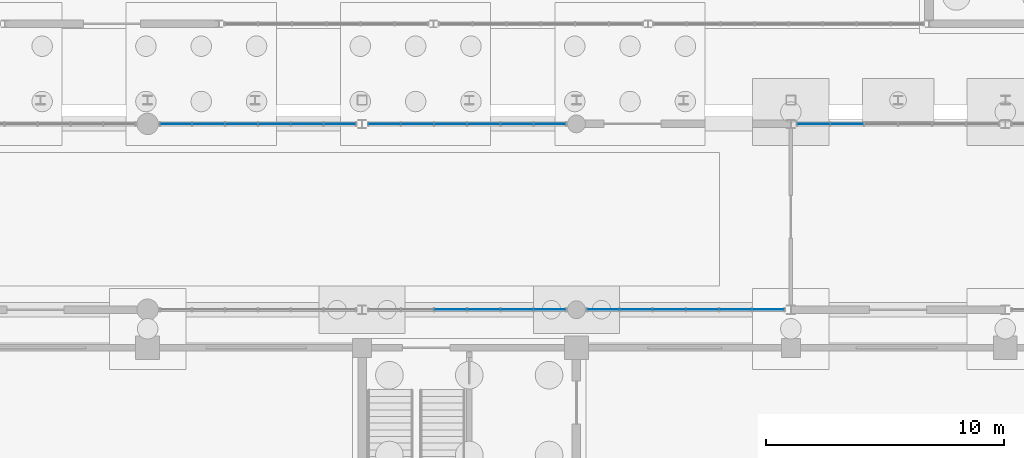
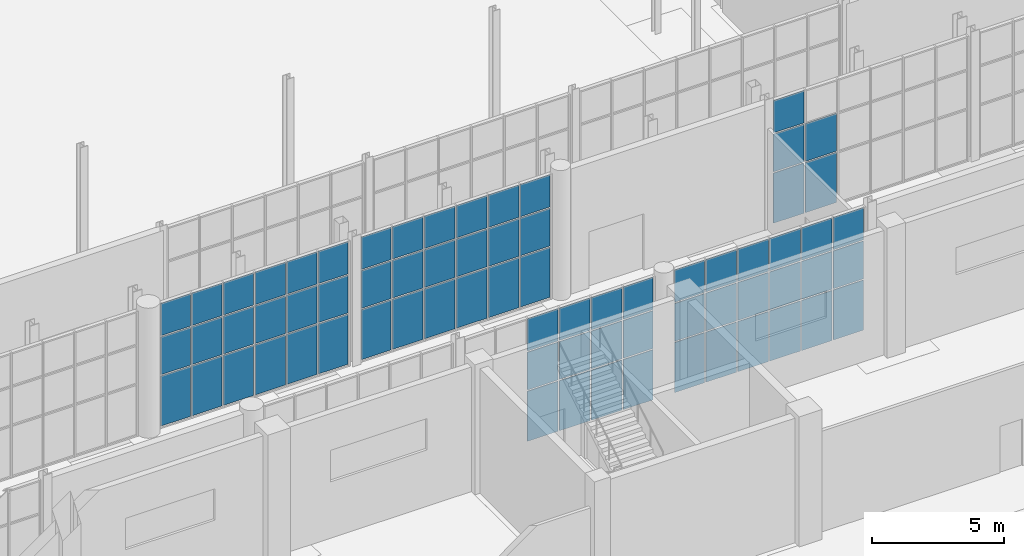
# One storey, part 92 of 131: 71 plates, 5 elements without a shape of their own.
"""IFC4 building model written with IfcOpenShell, lengths in metres."""

from ifc_helpers import new_model, si_unit, direction, frame, origin, origin_2d, place, context, subcontext, project, spatial, rectangle, extrude, material, layer, layer_set, type_object, element, aggregate, save


model = new_model("IFC4")

# Units and contexts
model_context = context("Model", 3, precision=1e-05, world=origin(), true_north=direction((0.0, 1.0)))
body_context = subcontext(model_context, "Body", "Model", "MODEL_VIEW")
ifc_project = project(units=[si_unit("LENGTHUNIT", "METRE"), si_unit("AREAUNIT", "SQUARE_METRE"), si_unit("VOLUMEUNIT", "CUBIC_METRE"), si_unit("PLANEANGLEUNIT", "RADIAN"), si_unit("MASSUNIT", "GRAM", prefix="KILO")], contexts=[model_context])

# Site, building, storey
site_placement = place(None, origin())
site = spatial("IfcSite", under=ifc_project, at=site_placement, CompositionType="ELEMENT")
building_placement = place(site_placement, origin())
building = spatial("IfcBuilding", under=site, at=building_placement, Name="Cazmaro Siding Exhibition Halls", CompositionType="ELEMENT")
storey_placement = place(building_placement, origin())
storey = spatial("IfcBuildingStorey", under=building, at=storey_placement, Name="L00", CompositionType="ELEMENT", Elevation=0.0)

# Curtain wall, plates
ifc_material_1 = material(Name="Anodized Bronze Aluminum and Solar-Control Low-E Glazing", Category="aluminium")
ifc_layer_1 = layer(ifc_material_1, 0.179931640625)
ifc_layer_set_1 = layer_set([ifc_layer_1], Name="Anodized Bronze Aluminum and Solar-Control Low-E Glazing")
curtain_wall_type = type_object("IfcCurtainWallType", Name="CWS-01", PredefinedType="USERDEFINED", material=ifc_layer_set_1)
curtain_wall_1_placement = place(storey_placement, origin())
curtain_wall_1 = element("IfcCurtainWall", 1, at=curtain_wall_1_placement, inside=storey, type_object=curtain_wall_type, Name="Glazed Curtain Wall CWS-01 CW-191", ObjectType="GLAZED CURTAIN WALL", PredefinedType="USERDEFINED")
ifc_material_2 = material(Name="Solar-Control Low-E Double Insulating Glass", Category="glass")
ifc_layer_2 = layer(ifc_material_2, 0.02392578125)
ifc_layer_set_2 = layer_set([ifc_layer_2], Name="Solar-Control Low-E Double Insulating Glass")
plate_type = type_object("IfcPlateType", Name="CWP-01", PredefinedType="CURTAIN_PANEL", material=ifc_layer_set_2)
plate_1_placement = place(storey_placement, frame((134.064453125, 63.0, 0.06005859375), z_axis=(0.0, 0.0, 1.0), x_axis=(-1.0, 0.0, 0.0)))
plate_1 = element("IfcPlate", 2, at=plate_1_placement, type_object=plate_type, Name="CWS-01 panel 1.1", PredefinedType="CURTAIN_PANEL", context=body_context, shape_type="SweptSolid", body=[
    extrude(rectangle(XDim=1.291259765625, YDim=0.02392578125, at=origin_2d()), origin(), (0.0, 0.0, 1.0), 2.31005859375),
])
plate_2_placement = place(storey_placement, frame((134.064453125, 63.0, 2.43017578125), z_axis=(0.0, 0.0, 1.0), x_axis=(-1.0, 0.0, 0.0)))
plate_2 = element("IfcPlate", 3, at=plate_2_placement, type_object=plate_type, Name="CWS-01 panel 1.2", PredefinedType="CURTAIN_PANEL", context=body_context, shape_type="SweptSolid", body=[
    extrude(rectangle(XDim=1.291259765625, YDim=0.02392578125, at=origin_2d()), origin(), (0.0, 0.0, 1.0), 1.739990234375),
])
plate_3_placement = place(storey_placement, frame((134.064453125, 63.0, 4.22998046875), z_axis=(0.0, 0.0, 1.0), x_axis=(-1.0, 0.0, 0.0)))
plate_3 = element("IfcPlate", 4, at=plate_3_placement, type_object=plate_type, Name="CWS-01 panel 1.3", PredefinedType="CURTAIN_PANEL", context=body_context, shape_type="SweptSolid", body=[
    extrude(rectangle(XDim=1.291259765625, YDim=0.02392578125, at=origin_2d()), origin(), (0.0, 0.0, 1.0), 1.489990234375),
])
plate_4_placement = place(storey_placement, frame((132.6982421875, 63.0, 0.06005859375), z_axis=(0.0, 0.0, 1.0), x_axis=(-1.0, 0.0, 0.0)))
plate_4 = element("IfcPlate", 5, at=plate_4_placement, type_object=plate_type, Name="CWS-01 panel 2.1", PredefinedType="CURTAIN_PANEL", context=body_context, shape_type="SweptSolid", body=[
    extrude(rectangle(XDim=1.321044921875, YDim=0.02392578125, at=origin_2d()), origin(), (0.0, 0.0, 1.0), 2.31005859375),
])
plate_5_placement = place(storey_placement, frame((132.6982421875, 63.0, 2.43017578125), z_axis=(0.0, 0.0, 1.0), x_axis=(-1.0, 0.0, 0.0)))
plate_5 = element("IfcPlate", 6, at=plate_5_placement, type_object=plate_type, Name="CWS-01 panel 2.2", PredefinedType="CURTAIN_PANEL", context=body_context, shape_type="SweptSolid", body=[
    extrude(rectangle(XDim=1.321044921875, YDim=0.02392578125, at=origin_2d()), origin(), (0.0, 0.0, 1.0), 1.739990234375),
])
plate_6_placement = place(storey_placement, frame((132.6982421875, 63.0, 4.22998046875), z_axis=(0.0, 0.0, 1.0), x_axis=(-1.0, 0.0, 0.0)))
plate_6 = element("IfcPlate", 7, at=plate_6_placement, type_object=plate_type, Name="CWS-01 panel 2.3", PredefinedType="CURTAIN_PANEL", context=body_context, shape_type="SweptSolid", body=[
    extrude(rectangle(XDim=1.321044921875, YDim=0.02392578125, at=origin_2d()), origin(), (0.0, 0.0, 1.0), 1.489990234375),
])
plate_7_placement = place(storey_placement, frame((131.317138671875, 63.0, 0.06005859375), z_axis=(0.0, 0.0, 1.0), x_axis=(-1.0, 0.0, 0.0)))
plate_7 = element("IfcPlate", 8, at=plate_7_placement, type_object=plate_type, Name="CWS-01 panel 3.1", PredefinedType="CURTAIN_PANEL", context=body_context, shape_type="SweptSolid", body=[
    extrude(rectangle(XDim=1.321044921875, YDim=0.02392578125, at=origin_2d()), origin(), (0.0, 0.0, 1.0), 2.31005859375),
])
plate_8_placement = place(storey_placement, frame((131.317138671875, 63.0, 2.43017578125), z_axis=(0.0, 0.0, 1.0), x_axis=(-1.0, 0.0, 0.0)))
plate_8 = element("IfcPlate", 9, at=plate_8_placement, type_object=plate_type, Name="CWS-01 panel 3.2", PredefinedType="CURTAIN_PANEL", context=body_context, shape_type="SweptSolid", body=[
    extrude(rectangle(XDim=1.321044921875, YDim=0.02392578125, at=origin_2d()), origin(), (0.0, 0.0, 1.0), 1.739990234375),
])
plate_9_placement = place(storey_placement, frame((131.317138671875, 63.0, 4.22998046875), z_axis=(0.0, 0.0, 1.0), x_axis=(-1.0, 0.0, 0.0)))
plate_9 = element("IfcPlate", 10, at=plate_9_placement, type_object=plate_type, Name="CWS-01 panel 3.3", PredefinedType="CURTAIN_PANEL", context=body_context, shape_type="SweptSolid", body=[
    extrude(rectangle(XDim=1.321044921875, YDim=0.02392578125, at=origin_2d()), origin(), (0.0, 0.0, 1.0), 1.489990234375),
])
plate_10_placement = place(storey_placement, frame((129.93603515625, 63.0, 0.06005859375), z_axis=(0.0, 0.0, 1.0), x_axis=(-1.0, 0.0, 0.0)))
plate_10 = element("IfcPlate", 11, at=plate_10_placement, type_object=plate_type, Name="CWS-01 panel 4.1", PredefinedType="CURTAIN_PANEL", context=body_context, shape_type="SweptSolid", body=[
    extrude(rectangle(XDim=1.321044921875, YDim=0.02392578125, at=origin_2d()), origin(), (0.0, 0.0, 1.0), 2.31005859375),
])
plate_11_placement = place(storey_placement, frame((129.93603515625, 63.0, 2.43017578125), z_axis=(0.0, 0.0, 1.0), x_axis=(-1.0, 0.0, 0.0)))
plate_11 = element("IfcPlate", 12, at=plate_11_placement, type_object=plate_type, Name="CWS-01 panel 4.2", PredefinedType="CURTAIN_PANEL", context=body_context, shape_type="SweptSolid", body=[
    extrude(rectangle(XDim=1.321044921875, YDim=0.02392578125, at=origin_2d()), origin(), (0.0, 0.0, 1.0), 1.739990234375),
])
plate_12_placement = place(storey_placement, frame((129.93603515625, 63.0, 4.22998046875), z_axis=(0.0, 0.0, 1.0), x_axis=(-1.0, 0.0, 0.0)))
plate_12 = element("IfcPlate", 13, at=plate_12_placement, type_object=plate_type, Name="CWS-01 panel 4.3", PredefinedType="CURTAIN_PANEL", context=body_context, shape_type="SweptSolid", body=[
    extrude(rectangle(XDim=1.321044921875, YDim=0.02392578125, at=origin_2d()), origin(), (0.0, 0.0, 1.0), 1.489990234375),
])
plate_13_placement = place(storey_placement, frame((128.5546875, 63.0, 0.06005859375), z_axis=(0.0, 0.0, 1.0), x_axis=(-1.0, 0.0, 0.0)))
plate_13 = element("IfcPlate", 14, at=plate_13_placement, type_object=plate_type, Name="CWS-01 panel 5.1", PredefinedType="CURTAIN_PANEL", context=body_context, shape_type="SweptSolid", body=[
    extrude(rectangle(XDim=1.321044921875, YDim=0.02392578125, at=origin_2d()), origin(), (0.0, 0.0, 1.0), 2.31005859375),
])
plate_14_placement = place(storey_placement, frame((128.5546875, 63.0, 2.43017578125), z_axis=(0.0, 0.0, 1.0), x_axis=(-1.0, 0.0, 0.0)))
plate_14 = element("IfcPlate", 15, at=plate_14_placement, type_object=plate_type, Name="CWS-01 panel 5.2", PredefinedType="CURTAIN_PANEL", context=body_context, shape_type="SweptSolid", body=[
    extrude(rectangle(XDim=1.321044921875, YDim=0.02392578125, at=origin_2d()), origin(), (0.0, 0.0, 1.0), 1.739990234375),
])
plate_15_placement = place(storey_placement, frame((128.5546875, 63.0, 4.22998046875), z_axis=(0.0, 0.0, 1.0), x_axis=(-1.0, 0.0, 0.0)))
plate_15 = element("IfcPlate", 16, at=plate_15_placement, type_object=plate_type, Name="CWS-01 panel 5.3", PredefinedType="CURTAIN_PANEL", context=body_context, shape_type="SweptSolid", body=[
    extrude(rectangle(XDim=1.321044921875, YDim=0.02392578125, at=origin_2d()), origin(), (0.0, 0.0, 1.0), 1.489990234375),
])
plate_16_placement = place(storey_placement, frame((127.1884765625, 63.0, 0.06005859375), z_axis=(0.0, 0.0, 1.0), x_axis=(-1.0, 0.0, 0.0)))
plate_16 = element("IfcPlate", 17, at=plate_16_placement, type_object=plate_type, Name="CWS-01 panel 6.1", PredefinedType="CURTAIN_PANEL", context=body_context, shape_type="SweptSolid", body=[
    extrude(rectangle(XDim=1.291259765625, YDim=0.02392578125, at=origin_2d()), origin(), (0.0, 0.0, 1.0), 2.31005859375),
])
plate_17_placement = place(storey_placement, frame((127.1884765625, 63.0, 2.43017578125), z_axis=(0.0, 0.0, 1.0), x_axis=(-1.0, 0.0, 0.0)))
plate_17 = element("IfcPlate", 18, at=plate_17_placement, type_object=plate_type, Name="CWS-01 panel 6.2", PredefinedType="CURTAIN_PANEL", context=body_context, shape_type="SweptSolid", body=[
    extrude(rectangle(XDim=1.291259765625, YDim=0.02392578125, at=origin_2d()), origin(), (0.0, 0.0, 1.0), 1.739990234375),
])
plate_18_placement = place(storey_placement, frame((127.1884765625, 63.0, 4.22998046875), z_axis=(0.0, 0.0, 1.0), x_axis=(-1.0, 0.0, 0.0)))
plate_18 = element("IfcPlate", 19, at=plate_18_placement, type_object=plate_type, Name="CWS-01 panel 6.3", PredefinedType="CURTAIN_PANEL", context=body_context, shape_type="SweptSolid", body=[
    extrude(rectangle(XDim=1.291259765625, YDim=0.02392578125, at=origin_2d()), origin(), (0.0, 0.0, 1.0), 1.489990234375),
])
aggregate(curtain_wall_1, [plate_1, plate_2, plate_3, plate_4, plate_5, plate_6, plate_7, plate_8, plate_9, plate_10, plate_11, plate_12, plate_13, plate_14, plate_15, plate_16, plate_17, plate_18])

curtain_wall_2_placement = place(storey_placement, origin())
curtain_wall_2 = element("IfcCurtainWall", 20, at=curtain_wall_2_placement, inside=storey, type_object=curtain_wall_type, Name="Glazed Curtain Wall CWS-01 CW-196", ObjectType="GLAZED CURTAIN WALL", PredefinedType="USERDEFINED")
plate_19_placement = place(storey_placement, frame((138.714111328125, 55.199951171875, 0.06005859375), z_axis=(0.0, 0.0, 1.0), x_axis=(1.0, 0.0, 0.0)))
plate_19 = element("IfcPlate", 21, at=plate_19_placement, type_object=plate_type, Name="CWS-01 panel 3.1", PredefinedType="CURTAIN_PANEL", context=body_context, shape_type="SweptSolid", body=[
    extrude(rectangle(XDim=1.333740234375, YDim=0.02392578125, at=origin_2d()), origin(), (0.0, 0.0, 1.0), 2.31005859375),
])
plate_20_placement = place(storey_placement, frame((138.714111328125, 55.199951171875, 2.43017578125), z_axis=(0.0, 0.0, 1.0), x_axis=(1.0, 0.0, 0.0)))
plate_20 = element("IfcPlate", 22, at=plate_20_placement, type_object=plate_type, Name="CWS-01 panel 3.2", PredefinedType="CURTAIN_PANEL", context=body_context, shape_type="SweptSolid", body=[
    extrude(rectangle(XDim=1.333740234375, YDim=0.02392578125, at=origin_2d()), origin(), (0.0, 0.0, 1.0), 1.739990234375),
])
plate_21_placement = place(storey_placement, frame((138.714111328125, 55.199951171875, 4.22998046875), z_axis=(0.0, 0.0, 1.0), x_axis=(1.0, 0.0, 0.0)))
plate_21 = element("IfcPlate", 23, at=plate_21_placement, type_object=plate_type, Name="CWS-01 panel 3.3", PredefinedType="CURTAIN_PANEL", context=body_context, shape_type="SweptSolid", body=[
    extrude(rectangle(XDim=1.333740234375, YDim=0.02392578125, at=origin_2d()), origin(), (0.0, 0.0, 1.0), 1.489990234375),
])
plate_22_placement = place(storey_placement, frame((140.10791015625, 55.199951171875, 0.06005859375), z_axis=(0.0, 0.0, 1.0), x_axis=(1.0, 0.0, 0.0)))
plate_22 = element("IfcPlate", 24, at=plate_22_placement, type_object=plate_type, Name="CWS-01 panel 4.1", PredefinedType="CURTAIN_PANEL", context=body_context, shape_type="SweptSolid", body=[
    extrude(rectangle(XDim=1.333740234375, YDim=0.02392578125, at=origin_2d()), origin(), (0.0, 0.0, 1.0), 2.31005859375),
])
plate_23_placement = place(storey_placement, frame((140.10791015625, 55.199951171875, 2.43017578125), z_axis=(0.0, 0.0, 1.0), x_axis=(1.0, 0.0, 0.0)))
plate_23 = element("IfcPlate", 25, at=plate_23_placement, type_object=plate_type, Name="CWS-01 panel 4.2", PredefinedType="CURTAIN_PANEL", context=body_context, shape_type="SweptSolid", body=[
    extrude(rectangle(XDim=1.333740234375, YDim=0.02392578125, at=origin_2d()), origin(), (0.0, 0.0, 1.0), 1.739990234375),
])
plate_24_placement = place(storey_placement, frame((140.10791015625, 55.199951171875, 4.22998046875), z_axis=(0.0, 0.0, 1.0), x_axis=(1.0, 0.0, 0.0)))
plate_24 = element("IfcPlate", 26, at=plate_24_placement, type_object=plate_type, Name="CWS-01 panel 4.3", PredefinedType="CURTAIN_PANEL", context=body_context, shape_type="SweptSolid", body=[
    extrude(rectangle(XDim=1.333740234375, YDim=0.02392578125, at=origin_2d()), origin(), (0.0, 0.0, 1.0), 1.489990234375),
])
plate_25_placement = place(storey_placement, frame((141.50146484375, 55.199951171875, 0.06005859375), z_axis=(0.0, 0.0, 1.0), x_axis=(1.0, 0.0, 0.0)))
plate_25 = element("IfcPlate", 27, at=plate_25_placement, type_object=plate_type, Name="CWS-01 panel 5.1", PredefinedType="CURTAIN_PANEL", context=body_context, shape_type="SweptSolid", body=[
    extrude(rectangle(XDim=1.333740234375, YDim=0.02392578125, at=origin_2d()), origin(), (0.0, 0.0, 1.0), 2.31005859375),
])
plate_26_placement = place(storey_placement, frame((141.50146484375, 55.199951171875, 2.43017578125), z_axis=(0.0, 0.0, 1.0), x_axis=(1.0, 0.0, 0.0)))
plate_26 = element("IfcPlate", 28, at=plate_26_placement, type_object=plate_type, Name="CWS-01 panel 5.2", PredefinedType="CURTAIN_PANEL", context=body_context, shape_type="SweptSolid", body=[
    extrude(rectangle(XDim=1.333740234375, YDim=0.02392578125, at=origin_2d()), origin(), (0.0, 0.0, 1.0), 1.739990234375),
])
plate_27_placement = place(storey_placement, frame((141.50146484375, 55.199951171875, 4.22998046875), z_axis=(0.0, 0.0, 1.0), x_axis=(1.0, 0.0, 0.0)))
plate_27 = element("IfcPlate", 29, at=plate_27_placement, type_object=plate_type, Name="CWS-01 panel 5.3", PredefinedType="CURTAIN_PANEL", context=body_context, shape_type="SweptSolid", body=[
    extrude(rectangle(XDim=1.333740234375, YDim=0.02392578125, at=origin_2d()), origin(), (0.0, 0.0, 1.0), 1.489990234375),
])
plate_28_placement = place(storey_placement, frame((142.880126953125, 55.199951171875, 0.06005859375), z_axis=(0.0, 0.0, 1.0), x_axis=(1.0, 0.0, 0.0)))
plate_28 = element("IfcPlate", 30, at=plate_28_placement, type_object=plate_type, Name="CWS-01 panel 6.1", PredefinedType="CURTAIN_PANEL", context=body_context, shape_type="SweptSolid", body=[
    extrude(rectangle(XDim=1.3037109375, YDim=0.02392578125, at=origin_2d()), origin(), (0.0, 0.0, 1.0), 2.31005859375),
])
plate_29_placement = place(storey_placement, frame((142.880126953125, 55.199951171875, 2.43017578125), z_axis=(0.0, 0.0, 1.0), x_axis=(1.0, 0.0, 0.0)))
plate_29 = element("IfcPlate", 31, at=plate_29_placement, type_object=plate_type, Name="CWS-01 panel 6.2", PredefinedType="CURTAIN_PANEL", context=body_context, shape_type="SweptSolid", body=[
    extrude(rectangle(XDim=1.3037109375, YDim=0.02392578125, at=origin_2d()), origin(), (0.0, 0.0, 1.0), 1.739990234375),
])
plate_30_placement = place(storey_placement, frame((142.880126953125, 55.199951171875, 4.22998046875), z_axis=(0.0, 0.0, 1.0), x_axis=(1.0, 0.0, 0.0)))
plate_30 = element("IfcPlate", 32, at=plate_30_placement, type_object=plate_type, Name="CWS-01 panel 6.3", PredefinedType="CURTAIN_PANEL", context=body_context, shape_type="SweptSolid", body=[
    extrude(rectangle(XDim=1.3037109375, YDim=0.02392578125, at=origin_2d()), origin(), (0.0, 0.0, 1.0), 1.489990234375),
])
aggregate(curtain_wall_2, [plate_19, plate_20, plate_21, plate_22, plate_23, plate_24, plate_25, plate_26, plate_27, plate_28, plate_29, plate_30])

curtain_wall_3_placement = place(storey_placement, origin())
curtain_wall_3 = element("IfcCurtainWall", 33, at=curtain_wall_3_placement, inside=storey, type_object=curtain_wall_type, Name="Glazed Curtain Wall CWS-01 CW-197", ObjectType="GLAZED CURTAIN WALL", PredefinedType="USERDEFINED")
plate_31_placement = place(storey_placement, frame((142.880126953125, 63.0, 0.06005859375), z_axis=(0.0, 0.0, 1.0), x_axis=(-1.0, 0.0, 0.0)))
plate_31 = element("IfcPlate", 34, at=plate_31_placement, type_object=plate_type, Name="CWS-01 panel 1.1", PredefinedType="CURTAIN_PANEL", context=body_context, shape_type="SweptSolid", body=[
    extrude(rectangle(XDim=1.3037109375, YDim=0.02392578125, at=origin_2d()), origin(), (0.0, 0.0, 1.0), 2.31005859375),
])
plate_32_placement = place(storey_placement, frame((142.880126953125, 63.0, 2.43017578125), z_axis=(0.0, 0.0, 1.0), x_axis=(-1.0, 0.0, 0.0)))
plate_32 = element("IfcPlate", 35, at=plate_32_placement, type_object=plate_type, Name="CWS-01 panel 1.2", PredefinedType="CURTAIN_PANEL", context=body_context, shape_type="SweptSolid", body=[
    extrude(rectangle(XDim=1.3037109375, YDim=0.02392578125, at=origin_2d()), origin(), (0.0, 0.0, 1.0), 1.739990234375),
])
plate_33_placement = place(storey_placement, frame((142.880126953125, 63.0, 4.22998046875), z_axis=(0.0, 0.0, 1.0), x_axis=(-1.0, 0.0, 0.0)))
plate_33 = element("IfcPlate", 36, at=plate_33_placement, type_object=plate_type, Name="CWS-01 panel 1.3", PredefinedType="CURTAIN_PANEL", context=body_context, shape_type="SweptSolid", body=[
    extrude(rectangle(XDim=1.3037109375, YDim=0.02392578125, at=origin_2d()), origin(), (0.0, 0.0, 1.0), 1.489990234375),
])
plate_34_placement = place(storey_placement, frame((141.50146484375, 63.0, 0.06005859375), z_axis=(0.0, 0.0, 1.0), x_axis=(-1.0, 0.0, 0.0)))
plate_34 = element("IfcPlate", 37, at=plate_34_placement, type_object=plate_type, Name="CWS-01 panel 2.1", PredefinedType="CURTAIN_PANEL", context=body_context, shape_type="SweptSolid", body=[
    extrude(rectangle(XDim=1.333740234375, YDim=0.02392578125, at=origin_2d()), origin(), (0.0, 0.0, 1.0), 2.31005859375),
])
plate_35_placement = place(storey_placement, frame((141.50146484375, 63.0, 2.43017578125), z_axis=(0.0, 0.0, 1.0), x_axis=(-1.0, 0.0, 0.0)))
plate_35 = element("IfcPlate", 38, at=plate_35_placement, type_object=plate_type, Name="CWS-01 panel 2.2", PredefinedType="CURTAIN_PANEL", context=body_context, shape_type="SweptSolid", body=[
    extrude(rectangle(XDim=1.333740234375, YDim=0.02392578125, at=origin_2d()), origin(), (0.0, 0.0, 1.0), 1.739990234375),
])
plate_36_placement = place(storey_placement, frame((141.50146484375, 63.0, 4.22998046875), z_axis=(0.0, 0.0, 1.0), x_axis=(-1.0, 0.0, 0.0)))
plate_36 = element("IfcPlate", 39, at=plate_36_placement, type_object=plate_type, Name="CWS-01 panel 2.3", PredefinedType="CURTAIN_PANEL", context=body_context, shape_type="SweptSolid", body=[
    extrude(rectangle(XDim=1.333740234375, YDim=0.02392578125, at=origin_2d()), origin(), (0.0, 0.0, 1.0), 1.489990234375),
])
plate_37_placement = place(storey_placement, frame((140.10791015625, 63.0, 0.06005859375), z_axis=(0.0, 0.0, 1.0), x_axis=(-1.0, 0.0, 0.0)))
plate_37 = element("IfcPlate", 40, at=plate_37_placement, type_object=plate_type, Name="CWS-01 panel 3.1", PredefinedType="CURTAIN_PANEL", context=body_context, shape_type="SweptSolid", body=[
    extrude(rectangle(XDim=1.333740234375, YDim=0.02392578125, at=origin_2d()), origin(), (0.0, 0.0, 1.0), 2.31005859375),
])
plate_38_placement = place(storey_placement, frame((140.10791015625, 63.0, 2.43017578125), z_axis=(0.0, 0.0, 1.0), x_axis=(-1.0, 0.0, 0.0)))
plate_38 = element("IfcPlate", 41, at=plate_38_placement, type_object=plate_type, Name="CWS-01 panel 3.2", PredefinedType="CURTAIN_PANEL", context=body_context, shape_type="SweptSolid", body=[
    extrude(rectangle(XDim=1.333740234375, YDim=0.02392578125, at=origin_2d()), origin(), (0.0, 0.0, 1.0), 1.739990234375),
])
plate_39_placement = place(storey_placement, frame((140.10791015625, 63.0, 4.22998046875), z_axis=(0.0, 0.0, 1.0), x_axis=(-1.0, 0.0, 0.0)))
plate_39 = element("IfcPlate", 42, at=plate_39_placement, type_object=plate_type, Name="CWS-01 panel 3.3", PredefinedType="CURTAIN_PANEL", context=body_context, shape_type="SweptSolid", body=[
    extrude(rectangle(XDim=1.333740234375, YDim=0.02392578125, at=origin_2d()), origin(), (0.0, 0.0, 1.0), 1.489990234375),
])
plate_40_placement = place(storey_placement, frame((138.714111328125, 63.0, 0.06005859375), z_axis=(0.0, 0.0, 1.0), x_axis=(-1.0, 0.0, 0.0)))
plate_40 = element("IfcPlate", 43, at=plate_40_placement, type_object=plate_type, Name="CWS-01 panel 4.1", PredefinedType="CURTAIN_PANEL", context=body_context, shape_type="SweptSolid", body=[
    extrude(rectangle(XDim=1.333740234375, YDim=0.02392578125, at=origin_2d()), origin(), (0.0, 0.0, 1.0), 2.31005859375),
])
plate_41_placement = place(storey_placement, frame((138.714111328125, 63.0, 2.43017578125), z_axis=(0.0, 0.0, 1.0), x_axis=(-1.0, 0.0, 0.0)))
plate_41 = element("IfcPlate", 44, at=plate_41_placement, type_object=plate_type, Name="CWS-01 panel 4.2", PredefinedType="CURTAIN_PANEL", context=body_context, shape_type="SweptSolid", body=[
    extrude(rectangle(XDim=1.333740234375, YDim=0.02392578125, at=origin_2d()), origin(), (0.0, 0.0, 1.0), 1.739990234375),
])
plate_42_placement = place(storey_placement, frame((138.714111328125, 63.0, 4.22998046875), z_axis=(0.0, 0.0, 1.0), x_axis=(-1.0, 0.0, 0.0)))
plate_42 = element("IfcPlate", 45, at=plate_42_placement, type_object=plate_type, Name="CWS-01 panel 4.3", PredefinedType="CURTAIN_PANEL", context=body_context, shape_type="SweptSolid", body=[
    extrude(rectangle(XDim=1.333740234375, YDim=0.02392578125, at=origin_2d()), origin(), (0.0, 0.0, 1.0), 1.489990234375),
])
plate_43_placement = place(storey_placement, frame((137.320556640625, 63.0, 0.06005859375), z_axis=(0.0, 0.0, 1.0), x_axis=(-1.0, 0.0, 0.0)))
plate_43 = element("IfcPlate", 46, at=plate_43_placement, type_object=plate_type, Name="CWS-01 panel 5.1", PredefinedType="CURTAIN_PANEL", context=body_context, shape_type="SweptSolid", body=[
    extrude(rectangle(XDim=1.333740234375, YDim=0.02392578125, at=origin_2d()), origin(), (0.0, 0.0, 1.0), 2.31005859375),
])
plate_44_placement = place(storey_placement, frame((137.320556640625, 63.0, 2.43017578125), z_axis=(0.0, 0.0, 1.0), x_axis=(-1.0, 0.0, 0.0)))
plate_44 = element("IfcPlate", 47, at=plate_44_placement, type_object=plate_type, Name="CWS-01 panel 5.2", PredefinedType="CURTAIN_PANEL", context=body_context, shape_type="SweptSolid", body=[
    extrude(rectangle(XDim=1.333740234375, YDim=0.02392578125, at=origin_2d()), origin(), (0.0, 0.0, 1.0), 1.739990234375),
])
plate_45_placement = place(storey_placement, frame((137.320556640625, 63.0, 4.22998046875), z_axis=(0.0, 0.0, 1.0), x_axis=(-1.0, 0.0, 0.0)))
plate_45 = element("IfcPlate", 48, at=plate_45_placement, type_object=plate_type, Name="CWS-01 panel 5.3", PredefinedType="CURTAIN_PANEL", context=body_context, shape_type="SweptSolid", body=[
    extrude(rectangle(XDim=1.333740234375, YDim=0.02392578125, at=origin_2d()), origin(), (0.0, 0.0, 1.0), 1.489990234375),
])
plate_46_placement = place(storey_placement, frame((135.94189453125, 63.0, 0.06005859375), z_axis=(0.0, 0.0, 1.0), x_axis=(-1.0, 0.0, 0.0)))
plate_46 = element("IfcPlate", 49, at=plate_46_placement, type_object=plate_type, Name="CWS-01 panel 6.1", PredefinedType="CURTAIN_PANEL", context=body_context, shape_type="SweptSolid", body=[
    extrude(rectangle(XDim=1.3037109375, YDim=0.02392578125, at=origin_2d()), origin(), (0.0, 0.0, 1.0), 2.31005859375),
])
plate_47_placement = place(storey_placement, frame((135.94189453125, 63.0, 2.43017578125), z_axis=(0.0, 0.0, 1.0), x_axis=(-1.0, 0.0, 0.0)))
plate_47 = element("IfcPlate", 50, at=plate_47_placement, type_object=plate_type, Name="CWS-01 panel 6.2", PredefinedType="CURTAIN_PANEL", context=body_context, shape_type="SweptSolid", body=[
    extrude(rectangle(XDim=1.3037109375, YDim=0.02392578125, at=origin_2d()), origin(), (0.0, 0.0, 1.0), 1.739990234375),
])
plate_48_placement = place(storey_placement, frame((135.94189453125, 63.0, 4.22998046875), z_axis=(0.0, 0.0, 1.0), x_axis=(-1.0, 0.0, 0.0)))
plate_48 = element("IfcPlate", 51, at=plate_48_placement, type_object=plate_type, Name="CWS-01 panel 6.3", PredefinedType="CURTAIN_PANEL", context=body_context, shape_type="SweptSolid", body=[
    extrude(rectangle(XDim=1.3037109375, YDim=0.02392578125, at=origin_2d()), origin(), (0.0, 0.0, 1.0), 1.489990234375),
])
aggregate(curtain_wall_3, [plate_31, plate_32, plate_33, plate_34, plate_35, plate_36, plate_37, plate_38, plate_39, plate_40, plate_41, plate_42, plate_43, plate_44, plate_45, plate_46, plate_47, plate_48])

curtain_wall_4_placement = place(storey_placement, origin())
curtain_wall_4 = element("IfcCurtainWall", 52, at=curtain_wall_4_placement, inside=storey, type_object=curtain_wall_type, Name="Glazed Curtain Wall CWS-01 CW-200", ObjectType="GLAZED CURTAIN WALL", PredefinedType="USERDEFINED")
plate_49_placement = place(storey_placement, frame((145.119873046875, 55.199951171875, 0.06005859375), z_axis=(0.0, 0.0, 1.0), x_axis=(1.0, 0.0, 0.0)))
plate_49 = element("IfcPlate", 53, at=plate_49_placement, type_object=plate_type, Name="CWS-01 panel 1.1", PredefinedType="CURTAIN_PANEL", context=body_context, shape_type="SweptSolid", body=[
    extrude(rectangle(XDim=1.3037109375, YDim=0.02392578125, at=origin_2d()), origin(), (0.0, 0.0, 1.0), 2.31005859375),
])
plate_50_placement = place(storey_placement, frame((145.119873046875, 55.199951171875, 2.43017578125), z_axis=(0.0, 0.0, 1.0), x_axis=(1.0, 0.0, 0.0)))
plate_50 = element("IfcPlate", 54, at=plate_50_placement, type_object=plate_type, Name="CWS-01 panel 1.2", PredefinedType="CURTAIN_PANEL", context=body_context, shape_type="SweptSolid", body=[
    extrude(rectangle(XDim=1.3037109375, YDim=0.02392578125, at=origin_2d()), origin(), (0.0, 0.0, 1.0), 1.739990234375),
])
plate_51_placement = place(storey_placement, frame((145.119873046875, 55.199951171875, 4.22998046875), z_axis=(0.0, 0.0, 1.0), x_axis=(1.0, 0.0, 0.0)))
plate_51 = element("IfcPlate", 55, at=plate_51_placement, type_object=plate_type, Name="CWS-01 panel 1.3", PredefinedType="CURTAIN_PANEL", context=body_context, shape_type="SweptSolid", body=[
    extrude(rectangle(XDim=1.3037109375, YDim=0.02392578125, at=origin_2d()), origin(), (0.0, 0.0, 1.0), 1.489990234375),
])
plate_52_placement = place(storey_placement, frame((146.49853515625, 55.199951171875, 0.06005859375), z_axis=(0.0, 0.0, 1.0), x_axis=(1.0, 0.0, 0.0)))
plate_52 = element("IfcPlate", 56, at=plate_52_placement, type_object=plate_type, Name="CWS-01 panel 2.1", PredefinedType="CURTAIN_PANEL", context=body_context, shape_type="SweptSolid", body=[
    extrude(rectangle(XDim=1.333740234375, YDim=0.02392578125, at=origin_2d()), origin(), (0.0, 0.0, 1.0), 2.31005859375),
])
plate_53_placement = place(storey_placement, frame((146.49853515625, 55.199951171875, 2.43017578125), z_axis=(0.0, 0.0, 1.0), x_axis=(1.0, 0.0, 0.0)))
plate_53 = element("IfcPlate", 57, at=plate_53_placement, type_object=plate_type, Name="CWS-01 panel 2.2", PredefinedType="CURTAIN_PANEL", context=body_context, shape_type="SweptSolid", body=[
    extrude(rectangle(XDim=1.333740234375, YDim=0.02392578125, at=origin_2d()), origin(), (0.0, 0.0, 1.0), 1.739990234375),
])
plate_54_placement = place(storey_placement, frame((146.49853515625, 55.199951171875, 4.22998046875), z_axis=(0.0, 0.0, 1.0), x_axis=(1.0, 0.0, 0.0)))
plate_54 = element("IfcPlate", 58, at=plate_54_placement, type_object=plate_type, Name="CWS-01 panel 2.3", PredefinedType="CURTAIN_PANEL", context=body_context, shape_type="SweptSolid", body=[
    extrude(rectangle(XDim=1.333740234375, YDim=0.02392578125, at=origin_2d()), origin(), (0.0, 0.0, 1.0), 1.489990234375),
])
plate_55_placement = place(storey_placement, frame((147.89208984375, 55.199951171875, 0.06005859375), z_axis=(0.0, 0.0, 1.0), x_axis=(1.0, 0.0, 0.0)))
plate_55 = element("IfcPlate", 59, at=plate_55_placement, type_object=plate_type, Name="CWS-01 panel 3.1", PredefinedType="CURTAIN_PANEL", context=body_context, shape_type="SweptSolid", body=[
    extrude(rectangle(XDim=1.333740234375, YDim=0.02392578125, at=origin_2d()), origin(), (0.0, 0.0, 1.0), 2.31005859375),
])
plate_56_placement = place(storey_placement, frame((147.89208984375, 55.199951171875, 2.43017578125), z_axis=(0.0, 0.0, 1.0), x_axis=(1.0, 0.0, 0.0)))
plate_56 = element("IfcPlate", 60, at=plate_56_placement, type_object=plate_type, Name="CWS-01 panel 3.2", PredefinedType="CURTAIN_PANEL", context=body_context, shape_type="SweptSolid", body=[
    extrude(rectangle(XDim=1.333740234375, YDim=0.02392578125, at=origin_2d()), origin(), (0.0, 0.0, 1.0), 1.739990234375),
])
plate_57_placement = place(storey_placement, frame((147.89208984375, 55.199951171875, 4.22998046875), z_axis=(0.0, 0.0, 1.0), x_axis=(1.0, 0.0, 0.0)))
plate_57 = element("IfcPlate", 61, at=plate_57_placement, type_object=plate_type, Name="CWS-01 panel 3.3", PredefinedType="CURTAIN_PANEL", context=body_context, shape_type="SweptSolid", body=[
    extrude(rectangle(XDim=1.333740234375, YDim=0.02392578125, at=origin_2d()), origin(), (0.0, 0.0, 1.0), 1.489990234375),
])
plate_58_placement = place(storey_placement, frame((149.285888671875, 55.199951171875, 0.06005859375), z_axis=(0.0, 0.0, 1.0), x_axis=(1.0, 0.0, 0.0)))
plate_58 = element("IfcPlate", 62, at=plate_58_placement, type_object=plate_type, Name="CWS-01 panel 4.1", PredefinedType="CURTAIN_PANEL", context=body_context, shape_type="SweptSolid", body=[
    extrude(rectangle(XDim=1.333740234375, YDim=0.02392578125, at=origin_2d()), origin(), (0.0, 0.0, 1.0), 2.31005859375),
])
plate_59_placement = place(storey_placement, frame((149.285888671875, 55.199951171875, 2.43017578125), z_axis=(0.0, 0.0, 1.0), x_axis=(1.0, 0.0, 0.0)))
plate_59 = element("IfcPlate", 63, at=plate_59_placement, type_object=plate_type, Name="CWS-01 panel 4.2", PredefinedType="CURTAIN_PANEL", context=body_context, shape_type="SweptSolid", body=[
    extrude(rectangle(XDim=1.333740234375, YDim=0.02392578125, at=origin_2d()), origin(), (0.0, 0.0, 1.0), 1.739990234375),
])
plate_60_placement = place(storey_placement, frame((149.285888671875, 55.199951171875, 4.22998046875), z_axis=(0.0, 0.0, 1.0), x_axis=(1.0, 0.0, 0.0)))
plate_60 = element("IfcPlate", 64, at=plate_60_placement, type_object=plate_type, Name="CWS-01 panel 4.3", PredefinedType="CURTAIN_PANEL", context=body_context, shape_type="SweptSolid", body=[
    extrude(rectangle(XDim=1.333740234375, YDim=0.02392578125, at=origin_2d()), origin(), (0.0, 0.0, 1.0), 1.489990234375),
])
plate_61_placement = place(storey_placement, frame((150.679443359375, 55.199951171875, 0.06005859375), z_axis=(0.0, 0.0, 1.0), x_axis=(1.0, 0.0, 0.0)))
plate_61 = element("IfcPlate", 65, at=plate_61_placement, type_object=plate_type, Name="CWS-01 panel 5.1", PredefinedType="CURTAIN_PANEL", context=body_context, shape_type="SweptSolid", body=[
    extrude(rectangle(XDim=1.333740234375, YDim=0.02392578125, at=origin_2d()), origin(), (0.0, 0.0, 1.0), 2.31005859375),
])
plate_62_placement = place(storey_placement, frame((150.679443359375, 55.199951171875, 2.43017578125), z_axis=(0.0, 0.0, 1.0), x_axis=(1.0, 0.0, 0.0)))
plate_62 = element("IfcPlate", 66, at=plate_62_placement, type_object=plate_type, Name="CWS-01 panel 5.2", PredefinedType="CURTAIN_PANEL", context=body_context, shape_type="SweptSolid", body=[
    extrude(rectangle(XDim=1.333740234375, YDim=0.02392578125, at=origin_2d()), origin(), (0.0, 0.0, 1.0), 1.739990234375),
])
plate_63_placement = place(storey_placement, frame((150.679443359375, 55.199951171875, 4.22998046875), z_axis=(0.0, 0.0, 1.0), x_axis=(1.0, 0.0, 0.0)))
plate_63 = element("IfcPlate", 67, at=plate_63_placement, type_object=plate_type, Name="CWS-01 panel 5.3", PredefinedType="CURTAIN_PANEL", context=body_context, shape_type="SweptSolid", body=[
    extrude(rectangle(XDim=1.333740234375, YDim=0.02392578125, at=origin_2d()), origin(), (0.0, 0.0, 1.0), 1.489990234375),
])
plate_64_placement = place(storey_placement, frame((152.05810546875, 55.199951171875, 0.06005859375), z_axis=(0.0, 0.0, 1.0), x_axis=(1.0, 0.0, 0.0)))
plate_64 = element("IfcPlate", 68, at=plate_64_placement, type_object=plate_type, Name="CWS-01 panel 6.1", PredefinedType="CURTAIN_PANEL", context=body_context, shape_type="SweptSolid", body=[
    extrude(rectangle(XDim=1.3037109375, YDim=0.02392578125, at=origin_2d()), origin(), (0.0, 0.0, 1.0), 2.31005859375),
])
plate_65_placement = place(storey_placement, frame((152.05810546875, 55.199951171875, 2.43017578125), z_axis=(0.0, 0.0, 1.0), x_axis=(1.0, 0.0, 0.0)))
plate_65 = element("IfcPlate", 69, at=plate_65_placement, type_object=plate_type, Name="CWS-01 panel 6.2", PredefinedType="CURTAIN_PANEL", context=body_context, shape_type="SweptSolid", body=[
    extrude(rectangle(XDim=1.3037109375, YDim=0.02392578125, at=origin_2d()), origin(), (0.0, 0.0, 1.0), 1.739990234375),
])
plate_66_placement = place(storey_placement, frame((152.05810546875, 55.199951171875, 4.22998046875), z_axis=(0.0, 0.0, 1.0), x_axis=(1.0, 0.0, 0.0)))
plate_66 = element("IfcPlate", 70, at=plate_66_placement, type_object=plate_type, Name="CWS-01 panel 6.3", PredefinedType="CURTAIN_PANEL", context=body_context, shape_type="SweptSolid", body=[
    extrude(rectangle(XDim=1.3037109375, YDim=0.02392578125, at=origin_2d()), origin(), (0.0, 0.0, 1.0), 1.489990234375),
])
aggregate(curtain_wall_4, [plate_49, plate_50, plate_51, plate_52, plate_53, plate_54, plate_55, plate_56, plate_57, plate_58, plate_59, plate_60, plate_61, plate_62, plate_63, plate_64, plate_65, plate_66])

curtain_wall_5_placement = place(storey_placement, origin())
curtain_wall_5 = element("IfcCurtainWall", 71, at=curtain_wall_5_placement, inside=storey, type_object=curtain_wall_type, Name="Glazed Curtain Wall CWS-01 CW-205", ObjectType="GLAZED CURTAIN WALL", PredefinedType="USERDEFINED")
plate_67_placement = place(storey_placement, frame((155.364990234375, 63.0, 0.06005859375), z_axis=(0.0, 0.0, 1.0), x_axis=(-1.0, 0.0, 0.0)))
plate_67 = element("IfcPlate", 72, at=plate_67_placement, type_object=plate_type, Name="CWS-01 panel 5.1", PredefinedType="CURTAIN_PANEL", context=body_context, shape_type="SweptSolid", body=[
    extrude(rectangle(XDim=1.36328125, YDim=0.02392578125, at=origin_2d()), origin(), (0.0, 0.0, 1.0), 2.31005859375),
])
plate_68_placement = place(storey_placement, frame((155.364990234375, 63.0, 2.43017578125), z_axis=(0.0, 0.0, 1.0), x_axis=(-1.0, 0.0, 0.0)))
plate_68 = element("IfcPlate", 73, at=plate_68_placement, type_object=plate_type, Name="CWS-01 panel 5.2", PredefinedType="CURTAIN_PANEL", context=body_context, shape_type="SweptSolid", body=[
    extrude(rectangle(XDim=1.36328125, YDim=0.02392578125, at=origin_2d()), origin(), (0.0, 0.0, 1.0), 1.739990234375),
])
plate_69_placement = place(storey_placement, frame((153.956787109375, 63.0, 0.06005859375), z_axis=(0.0, 0.0, 1.0), x_axis=(-1.0, 0.0, 0.0)))
plate_69 = element("IfcPlate", 74, at=plate_69_placement, type_object=plate_type, Name="CWS-01 panel 6.1", PredefinedType="CURTAIN_PANEL", context=body_context, shape_type="SweptSolid", body=[
    extrude(rectangle(XDim=1.333251953125, YDim=0.02392578125, at=origin_2d()), origin(), (0.0, 0.0, 1.0), 2.31005859375),
])
plate_70_placement = place(storey_placement, frame((153.956787109375, 63.0, 2.43017578125), z_axis=(0.0, 0.0, 1.0), x_axis=(-1.0, 0.0, 0.0)))
plate_70 = element("IfcPlate", 75, at=plate_70_placement, type_object=plate_type, Name="CWS-01 panel 6.2", PredefinedType="CURTAIN_PANEL", context=body_context, shape_type="SweptSolid", body=[
    extrude(rectangle(XDim=1.333251953125, YDim=0.02392578125, at=origin_2d()), origin(), (0.0, 0.0, 1.0), 1.739990234375),
])
plate_71_placement = place(storey_placement, frame((153.956787109375, 63.0, 4.22998046875), z_axis=(0.0, 0.0, 1.0), x_axis=(-1.0, 0.0, 0.0)))
plate_71 = element("IfcPlate", 76, at=plate_71_placement, type_object=plate_type, Name="CWS-01 panel 6.3", PredefinedType="CURTAIN_PANEL", context=body_context, shape_type="SweptSolid", body=[
    extrude(rectangle(XDim=1.333251953125, YDim=0.02392578125, at=origin_2d()), origin(), (0.0, 0.0, 1.0), 1.489990234375),
])
aggregate(curtain_wall_5, [plate_67, plate_68, plate_69, plate_70, plate_71])

save(model, "model.ifc")
